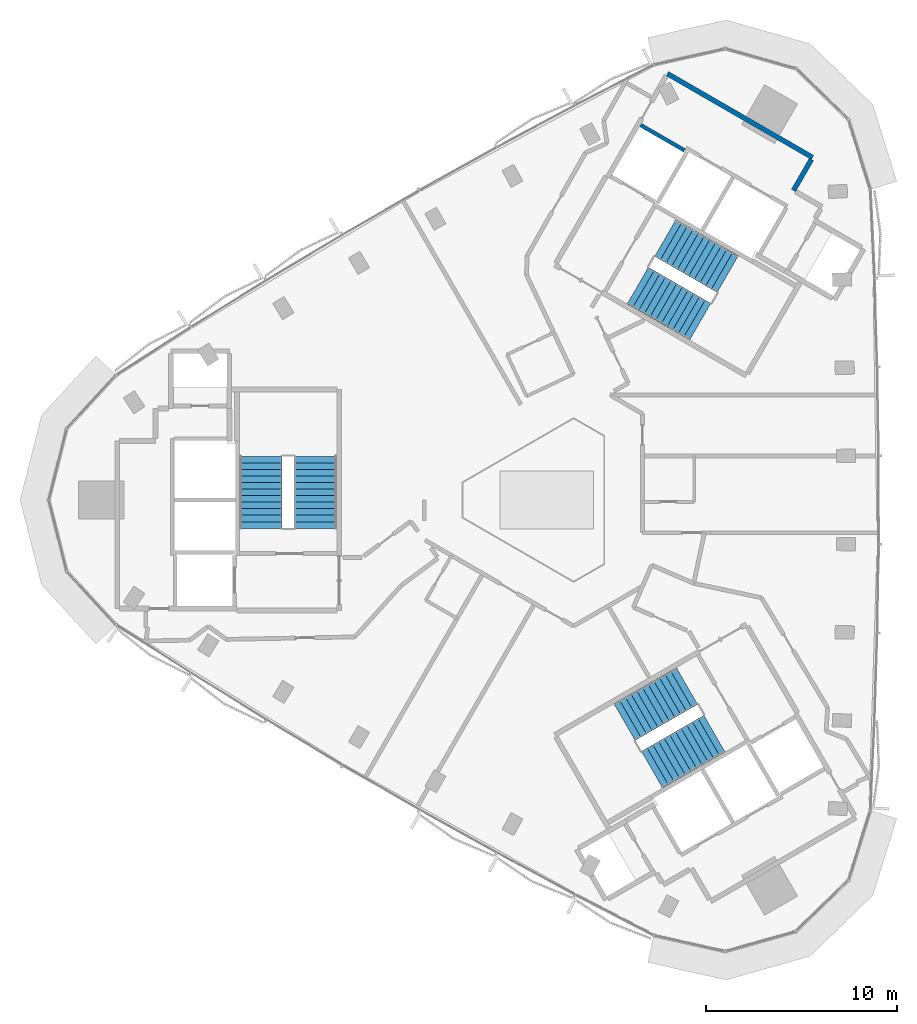
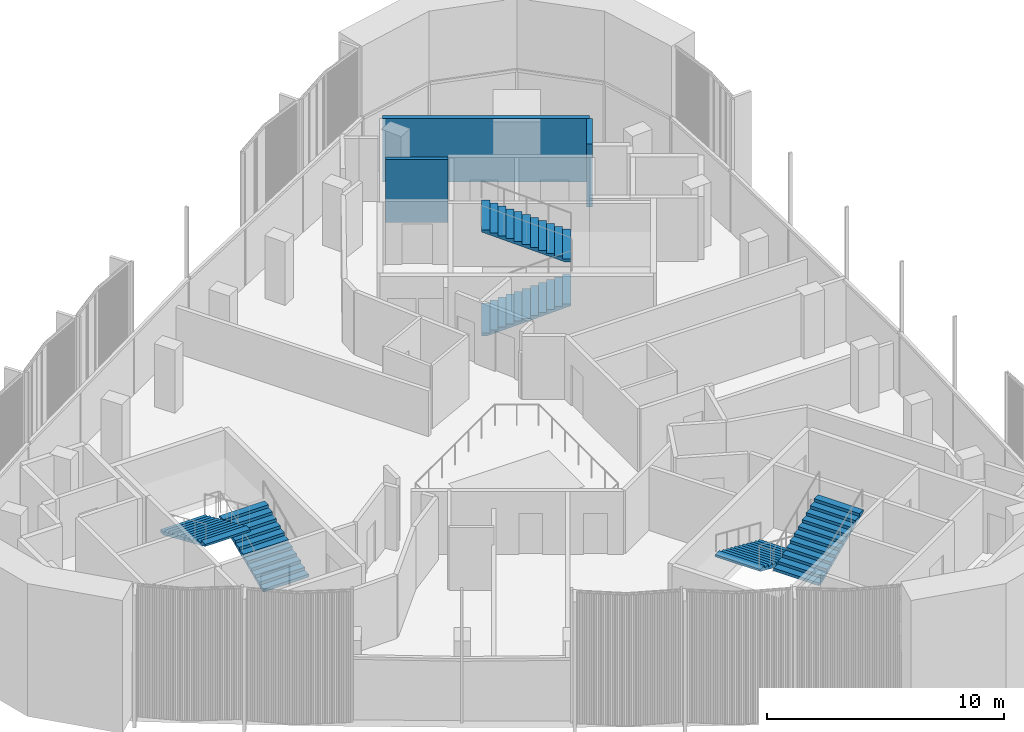
# One storey, part 9 of 12: 6 stair flights, 3 walls, 3 elements without a shape of their own.
"""IFC4 building model written with IfcOpenShell, lengths in metres."""

from ifc_helpers import new_model, si_unit, direction, frame, frame_2d, origin, place, context, subcontext, project, spatial, polyline, rectangle, outline, extrude, material, layer, layer_set, type_object, element, aggregate, save


model = new_model("IFC4")

# Units and contexts
model_context = context("Model", 3, precision=1e-05, world=origin(), true_north=direction((0.0, 1.0)))
body_context = subcontext(model_context, "Body", "Model", "MODEL_VIEW")
ifc_project = project(units=[si_unit("LENGTHUNIT", "METRE"), si_unit("AREAUNIT", "SQUARE_METRE"), si_unit("VOLUMEUNIT", "CUBIC_METRE"), si_unit("PLANEANGLEUNIT", "RADIAN"), si_unit("MASSUNIT", "GRAM", prefix="KILO")], contexts=[model_context])

# Site, building, storey
site_placement = place(None, origin())
site = spatial("IfcSite", under=ifc_project, at=site_placement, CompositionType="ELEMENT")
building_placement = place(site_placement, origin())
building = spatial("IfcBuilding", under=site, at=building_placement, Name="Tamra Quay Hotel Tower", CompositionType="ELEMENT")
storey_placement = place(building_placement, frame((0.0, 0.0, 262.199951171875)))
storey = spatial("IfcBuildingStorey", under=building, at=storey_placement, Name="L66", CompositionType="ELEMENT", Elevation=262.199951171875)

# Walls
ifc_material_1 = material(Name="Concrete M70", Category="concrete")
ifc_layer_1 = layer(ifc_material_1, 0.199951171875)
ifc_layer_set_1 = layer_set([ifc_layer_1], Name="Concrete M70 core wall 200")
wall_type_1 = type_object("IfcWallType", Name="Concrete M70 core wall 200", PredefinedType="SHEAR", material=ifc_layer_set_1)
wall_1_placement = place(storey_placement, frame((7.1962890625, 18.260498046875, 0.0), z_axis=(0.0, 0.0, 1.0), x_axis=(-0.866018407898, 0.500012117035, 0.0)))
element("IfcWall", 1, at=wall_1_placement, inside=storey, type_object=wall_type_1, Name="CW2", PredefinedType="SHEAR", context=body_context, shape_type="SweptSolid", body=[
    extrude(rectangle(XDim=2.65087890625, YDim=0.199951171875, at=frame_2d((1.325439453125, 0.0))), origin(), (0.0, 0.0, 1.0), 3.25),
])
ifc_layer_2 = layer(ifc_material_1, 0.25)
ifc_layer_set_2 = layer_set([ifc_layer_2], Name="Concrete M70 core wall 250")
wall_type_2 = type_object("IfcWallType", Name="Concrete M70 core wall 250", PredefinedType="SHEAR", material=ifc_layer_set_2)
wall_2_placement = place(storey_placement, frame((6.303955078125, 22.268798828125, 0.0), z_axis=(0.0, 0.0, 1.0), x_axis=(0.866022959057, -0.500004234368, 0.0)))
element("IfcWall", 2, at=wall_2_placement, inside=storey, type_object=wall_type_2, Name="CW1", PredefinedType="SHEAR", context=body_context, shape_type="SweptSolid", body=[
    extrude(rectangle(XDim=8.75, YDim=0.25, at=frame_2d((4.375, 0.0))), origin(), (0.0, 0.0, 1.0), 3.25),
])
wall_3_placement = place(storey_placement, frame((13.819091796875, 17.78515625, 0.0), z_axis=(0.0, 0.0, 1.0), x_axis=(-0.500039802285, -0.866002422705, 0.0)))
element("IfcWall", 3, at=wall_3_placement, inside=storey, type_object=wall_type_2, Name="CW1", PredefinedType="SHEAR", context=body_context, shape_type="SweptSolid", body=[
    extrude(rectangle(XDim=1.864501953125, YDim=0.25, at=frame_2d((0.93212890625, 0.0))), origin(), (0.0, 0.0, 1.0), 3.25),
])

# Stair, stair flights
ifc_material_2 = material(Name="Exit stair 2200 24 risers 150.0 going 342")
stair_type = type_object("IfcStairType", Name="Exit stair 2200 24 risers 150.0 going 342", PredefinedType="HALF_TURN_STAIR", material=ifc_material_2)
stair_1_placement = place(storey_placement, origin())
stair_1 = element("IfcStair", 4, at=stair_1_placement, inside=storey, type_object=stair_type, Name="L66 Exit stair ST3", PredefinedType="HALF_TURN_STAIR")
ifc_material_3 = material(Name="Exit stair flight 2200 12 risers 150.0")
stair_flight_type = type_object("IfcStairFlightType", Name="Exit stair flight 2200 12 risers 150.0", PredefinedType="STRAIGHT", material=ifc_material_3)
stair_flight_1_placement = place(storey_placement, frame((-12.082275390625, -1.47998046875, 0.0), z_axis=(0.0, 0.0, 1.0), x_axis=(0.0, 1.0, 0.0)))
stair_flight_1 = element("IfcStairFlight", 5, at=stair_flight_1_placement, type_object=stair_flight_type, Name="ST3 flight 1", NumberOfRisers=12, NumberOfTreads=11, PredefinedType="STRAIGHT", RiserHeight=0.15, TreadLength=0.342, context=body_context, shape_type="SweptSolid", body=[
    extrude(outline(polyline([(0.0, 0.0), (0.0, 0.14990234375), (0.342041015625, 0.14990234375), (0.342041015625, 0.300048828125), (0.68408203125, 0.300048828125), (0.68408203125, 0.449951171875), (1.02587890625, 0.449951171875), (1.02587890625, 0.60009765625), (1.367919921875, 0.60009765625), (1.367919921875, 0.75), (1.7099609375, 0.75), (1.7099609375, 0.89990234375), (2.052001953125, 0.89990234375), (2.052001953125, 1.050048828125), (2.39404296875, 1.050048828125), (2.39404296875, 1.199951171875), (2.736083984375, 1.199951171875), (2.736083984375, 1.35009765625), (3.077880859375, 1.35009765625), (3.077880859375, 1.5), (3.419921875, 1.5), (3.419921875, 1.64990234375), (3.761962890625, 1.64990234375), (3.761962890625, 1.800048828125), (3.761962890625, 1.540771484375), (0.249267578125, 0.0), (0.0, 0.0)])), frame((0.0, 1.10009765625, 0.0), z_axis=(0.0, -1.0, 0.0), x_axis=(1.0, 0.0, 0.0)), (0.0, 0.0, 1.0), 2.199951171875),
])
stair_flight_2_placement = place(storey_placement, frame((-14.94140625, 2.281982421875, 1.800048828125), z_axis=(0.0, 0.0, 1.0), x_axis=(0.0, -1.0, 0.0)))
stair_flight_2 = element("IfcStairFlight", 6, at=stair_flight_2_placement, type_object=stair_flight_type, Name="ST3 flight 2", NumberOfRisers=12, NumberOfTreads=11, PredefinedType="STRAIGHT", RiserHeight=0.15, TreadLength=0.342, context=body_context, shape_type="SweptSolid", body=[
    extrude(outline(polyline([(0.0, 0.0), (0.0, 0.14990234375), (0.342041015625, 0.14990234375), (0.342041015625, 0.300048828125), (0.68408203125, 0.300048828125), (0.68408203125, 0.449951171875), (1.02587890625, 0.449951171875), (1.02587890625, 0.60009765625), (1.367919921875, 0.60009765625), (1.367919921875, 0.75), (1.7099609375, 0.75), (1.7099609375, 0.89990234375), (2.052001953125, 0.89990234375), (2.052001953125, 1.050048828125), (2.39404296875, 1.050048828125), (2.39404296875, 1.199951171875), (2.736083984375, 1.199951171875), (2.736083984375, 1.35009765625), (3.077880859375, 1.35009765625), (3.077880859375, 1.5), (3.419921875, 1.5), (3.419921875, 1.64990234375), (3.761962890625, 1.64990234375), (3.761962890625, 1.800048828125), (3.761962890625, 1.540771484375), (0.249267578125, 0.0), (0.0, 0.0)])), frame((0.0, 1.10009765625, 0.0), z_axis=(0.0, -1.0, 0.0), x_axis=(1.0, 0.0, 0.0)), (0.0, 0.0, 1.0), 2.199951171875),
])
aggregate(stair_1, [stair_flight_1, stair_flight_2])

stair_2_placement = place(storey_placement, origin())
stair_2 = element("IfcStair", 7, at=stair_2_placement, inside=storey, type_object=stair_type, Name="L66 Exit stair ST1", PredefinedType="HALF_TURN_STAIR")
stair_flight_3_placement = place(storey_placement, frame((4.75927734375, 11.20361328125, 0.0), z_axis=(0.0, 0.0, 1.0), x_axis=(0.866025403784, -0.5, 0.0)))
stair_flight_3 = element("IfcStairFlight", 8, at=stair_flight_3_placement, type_object=stair_flight_type, Name="ST1 flight 1", NumberOfRisers=12, NumberOfTreads=11, PredefinedType="STRAIGHT", RiserHeight=0.15, TreadLength=0.342, context=body_context, shape_type="SweptSolid", body=[
    extrude(outline(polyline([(0.0, 0.0), (0.0, 0.14990234375), (0.342041015625, 0.14990234375), (0.342041015625, 0.300048828125), (0.68408203125, 0.300048828125), (0.68408203125, 0.449951171875), (1.02587890625, 0.449951171875), (1.02587890625, 0.60009765625), (1.367919921875, 0.60009765625), (1.367919921875, 0.75), (1.7099609375, 0.75), (1.7099609375, 0.89990234375), (2.052001953125, 0.89990234375), (2.052001953125, 1.050048828125), (2.39404296875, 1.050048828125), (2.39404296875, 1.199951171875), (2.736083984375, 1.199951171875), (2.736083984375, 1.35009765625), (3.077880859375, 1.35009765625), (3.077880859375, 1.5), (3.419921875, 1.5), (3.419921875, 1.64990234375), (3.761962890625, 1.64990234375), (3.761962890625, 1.800048828125), (3.761962890625, 1.540771484375), (0.249267578125, 0.0), (0.0, 0.0)])), frame((0.0, 1.10009765625, 0.0), z_axis=(0.0, -1.0, 0.0), x_axis=(1.0, 0.0, 0.0)), (0.0, 0.0, 1.0), 2.199951171875),
])
stair_flight_4_placement = place(storey_placement, frame((9.44677734375, 11.798583984375, 1.800048828125), z_axis=(0.0, 0.0, 1.0), x_axis=(-0.866025403784, 0.5, 0.0)))
stair_flight_4 = element("IfcStairFlight", 9, at=stair_flight_4_placement, type_object=stair_flight_type, Name="ST1 flight 2", NumberOfRisers=12, NumberOfTreads=11, PredefinedType="STRAIGHT", RiserHeight=0.15, TreadLength=0.342, context=body_context, shape_type="SweptSolid", body=[
    extrude(outline(polyline([(0.0, 0.0), (0.0, 0.14990234375), (0.342041015625, 0.14990234375), (0.342041015625, 0.300048828125), (0.68408203125, 0.300048828125), (0.68408203125, 0.449951171875), (1.02587890625, 0.449951171875), (1.02587890625, 0.60009765625), (1.367919921875, 0.60009765625), (1.367919921875, 0.75), (1.7099609375, 0.75), (1.7099609375, 0.89990234375), (2.052001953125, 0.89990234375), (2.052001953125, 1.050048828125), (2.39404296875, 1.050048828125), (2.39404296875, 1.199951171875), (2.736083984375, 1.199951171875), (2.736083984375, 1.35009765625), (3.077880859375, 1.35009765625), (3.077880859375, 1.5), (3.419921875, 1.5), (3.419921875, 1.64990234375), (3.761962890625, 1.64990234375), (3.761962890625, 1.800048828125), (3.761962890625, 1.540771484375), (0.249267578125, 0.0), (0.0, 0.0)])), frame((0.0, 1.10009765625, 0.0), z_axis=(0.0, -1.0, 0.0), x_axis=(1.0, 0.0, 0.0)), (0.0, 0.0, 1.0), 2.199951171875),
])
aggregate(stair_2, [stair_flight_3, stair_flight_4])

stair_3_placement = place(storey_placement, origin())
stair_3 = element("IfcStair", 10, at=stair_3_placement, inside=storey, type_object=stair_type, Name="L66 Exit stair ST2", PredefinedType="HALF_TURN_STAIR")
stair_flight_5_placement = place(storey_placement, frame((7.322998046875, -9.7236328125, 0.0), z_axis=(0.0, 0.0, 1.0), x_axis=(-0.866025403784, -0.5, 0.0)))
stair_flight_5 = element("IfcStairFlight", 11, at=stair_flight_5_placement, type_object=stair_flight_type, Name="ST2 flight 1", NumberOfRisers=12, NumberOfTreads=11, PredefinedType="STRAIGHT", RiserHeight=0.15, TreadLength=0.342, context=body_context, shape_type="SweptSolid", body=[
    extrude(outline(polyline([(0.0, 0.0), (0.0, 0.14990234375), (0.342041015625, 0.14990234375), (0.342041015625, 0.300048828125), (0.68408203125, 0.300048828125), (0.68408203125, 0.449951171875), (1.02587890625, 0.449951171875), (1.02587890625, 0.60009765625), (1.367919921875, 0.60009765625), (1.367919921875, 0.75), (1.7099609375, 0.75), (1.7099609375, 0.89990234375), (2.052001953125, 0.89990234375), (2.052001953125, 1.050048828125), (2.39404296875, 1.050048828125), (2.39404296875, 1.199951171875), (2.736083984375, 1.199951171875), (2.736083984375, 1.35009765625), (3.077880859375, 1.35009765625), (3.077880859375, 1.5), (3.419921875, 1.5), (3.419921875, 1.64990234375), (3.761962890625, 1.64990234375), (3.761962890625, 1.800048828125), (3.761962890625, 1.540771484375), (0.249267578125, 0.0), (0.0, 0.0)])), frame((0.0, 1.10009765625, 0.0), z_axis=(0.0, -1.0, 0.0), x_axis=(1.0, 0.0, 0.0)), (0.0, 0.0, 1.0), 2.199951171875),
])
stair_flight_6_placement = place(storey_placement, frame((5.494384765625, -14.08056640625, 1.800048828125), z_axis=(0.0, 0.0, 1.0), x_axis=(0.866025403784, 0.5, 0.0)))
stair_flight_6 = element("IfcStairFlight", 12, at=stair_flight_6_placement, type_object=stair_flight_type, Name="ST2 flight 2", NumberOfRisers=12, NumberOfTreads=11, PredefinedType="STRAIGHT", RiserHeight=0.15, TreadLength=0.342, context=body_context, shape_type="SweptSolid", body=[
    extrude(outline(polyline([(0.0, 0.0), (0.0, 0.14990234375), (0.342041015625, 0.14990234375), (0.342041015625, 0.300048828125), (0.68408203125, 0.300048828125), (0.68408203125, 0.449951171875), (1.02587890625, 0.449951171875), (1.02587890625, 0.60009765625), (1.367919921875, 0.60009765625), (1.367919921875, 0.75), (1.7099609375, 0.75), (1.7099609375, 0.89990234375), (2.052001953125, 0.89990234375), (2.052001953125, 1.050048828125), (2.39404296875, 1.050048828125), (2.39404296875, 1.199951171875), (2.736083984375, 1.199951171875), (2.736083984375, 1.35009765625), (3.077880859375, 1.35009765625), (3.077880859375, 1.5), (3.419921875, 1.5), (3.419921875, 1.64990234375), (3.761962890625, 1.64990234375), (3.761962890625, 1.800048828125), (3.761962890625, 1.540771484375), (0.249267578125, 0.0), (0.0, 0.0)])), frame((0.0, 1.10009765625, 0.0), z_axis=(0.0, -1.0, 0.0), x_axis=(1.0, 0.0, 0.0)), (0.0, 0.0, 1.0), 2.199951171875),
])
aggregate(stair_3, [stair_flight_5, stair_flight_6])

save(model, "model.ifc")
